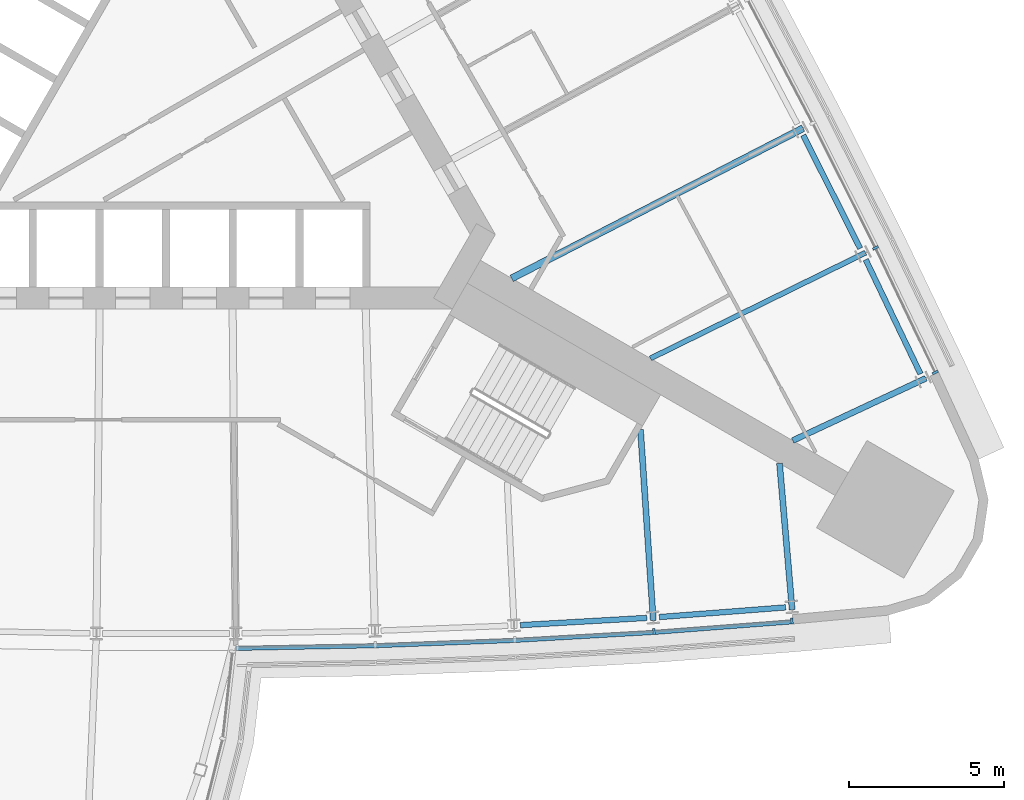
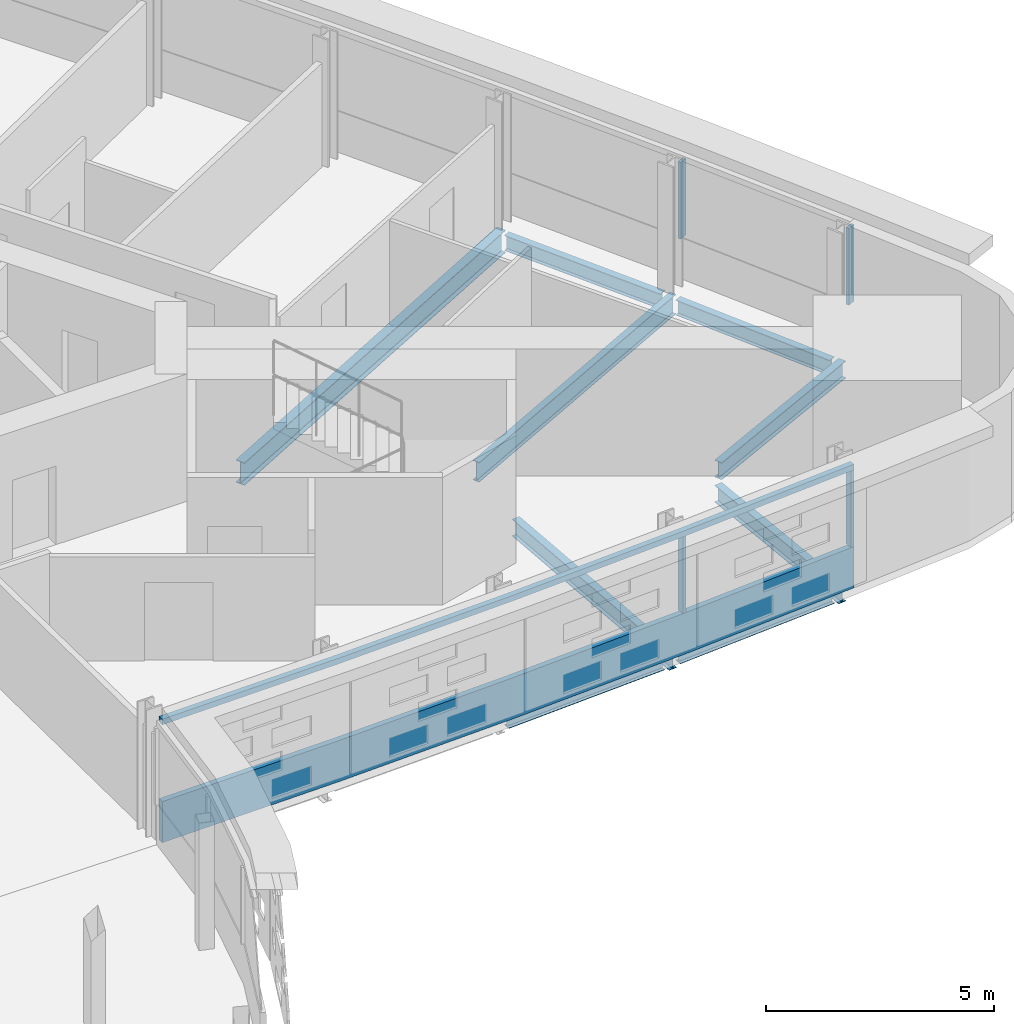
# One storey, part 5 of 16: 9 beams, 6 members, 2 elements without a shape of their own.
"""IFC4 building model written with IfcOpenShell, lengths in metres."""

from ifc_helpers import new_model, si_unit, direction, frame, origin, origin_2d, place, context, subcontext, project, spatial, polyline, rectangle, i_section, outline, extrude, material, material_profile, profile_set, type_object, element, aggregate, save


model = new_model("IFC4")

# Units and contexts
model_context = context("Model", 3, precision=1e-05, world=origin(), true_north=direction((0.0, 1.0)))
body_context = subcontext(model_context, "Body", "Model", "MODEL_VIEW")
ifc_project = project(units=[si_unit("LENGTHUNIT", "METRE"), si_unit("AREAUNIT", "SQUARE_METRE"), si_unit("VOLUMEUNIT", "CUBIC_METRE"), si_unit("PLANEANGLEUNIT", "RADIAN"), si_unit("MASSUNIT", "GRAM", prefix="KILO")], contexts=[model_context])

# Site, building, storey
site_placement = place(None, origin())
site = spatial("IfcSite", under=ifc_project, at=site_placement, CompositionType="ELEMENT")
building_placement = place(site_placement, origin())
building = spatial("IfcBuilding", under=site, at=building_placement, Name="Noor Cloister Tower", CompositionType="ELEMENT")
storey_placement = place(building_placement, frame((0.0, 0.0, 61.800048828125)))
storey = spatial("IfcBuildingStorey", under=building, at=storey_placement, Name="L15", CompositionType="ELEMENT", Elevation=61.800048828125)

# Curtain wall, members
ifc_material_1 = material(Name="Aluminium 6063-T6 anodised", Category="aluminium")
curtain_wall_type = type_object("IfcCurtainWallType", Name="Ribbon curtain wall, lower tower CW1", PredefinedType="NOTDEFINED", material=ifc_material_1)
curtain_wall_1_placement = place(storey_placement, origin())
curtain_wall_1 = element("IfcCurtainWall", 1, at=curtain_wall_1_placement, inside=storey, type_object=curtain_wall_type, Name="CW1 L15 S run 3", PredefinedType="NOTDEFINED")
ifc_material_2 = material(Name="Aluminium 6063-T6 anodised", Category="aluminium")
member_type_1 = type_object("IfcMemberType", Name="Head transom CW1 150", PredefinedType="USERDEFINED", material=ifc_material_2)
member_1_placement = place(storey_placement, frame((0.0, 0.0, 3.14990234375)))
member_1 = element("IfcMember", 2, at=member_1_placement, type_object=member_type_1, Name="CW1 head transom", ObjectType="TRANSOM", PredefinedType="USERDEFINED", context=body_context, shape_type="SweptSolid", body=[
    extrude(outline(polyline([(2.25, -17.944091796875), (6.7490234375, -17.858154296875), (11.24560546875, -17.686279296875), (15.73828125, -17.4287109375), (20.22509765625, -17.085205078125), (20.21435546875, -16.94580078125), (15.72900390625, -17.2890625), (11.239013671875, -17.54638671875), (6.7451171875, -17.71826171875), (2.247314453125, -17.80419921875), (2.25, -17.944091796875)])), origin(), (0.0, 0.0, 1.0), 0.150146484375),
])
ifc_material_3 = material(Name="Aluminium 6063-T6 anodised", Category="aluminium")
ifc_material_profile_1 = material_profile(ifc_material_3, rectangle(XDim=0.199951171875, YDim=0.080078125, at=origin_2d()), Name="200 x 80 mullion")
ifc_profile_set_1 = profile_set([ifc_material_profile_1], Name="Aluminium 6063-T6 anodised")
member_type_2 = type_object("IfcMemberType", Name="Mullion CW1 80 x 200", PredefinedType="MULLION", material=ifc_profile_set_1)
member_2_placement = place(storey_placement, frame((15.731689453125, -17.328857421875, 1.099853515625), z_axis=(0.0, 0.0, 1.0), x_axis=(-0.066787283473, 0.997767236767, 0.0)))
member_2 = element("IfcMember", 3, at=member_2_placement, type_object=member_type_2, Name="CW1 mullion 4", PredefinedType="MULLION", context=body_context, shape_type="SweptSolid", body=[
    extrude(rectangle(XDim=0.199951171875, YDim=0.080078125, at=origin_2d()), origin(), (0.0, 0.0, 1.0), 2.050048828125),
])
member_3_placement = place(storey_placement, frame((20.177490234375, -16.988525390625, 1.099853515625), z_axis=(0.0, 0.0, 1.0), x_axis=(-0.076310930849, 0.997084069591, 0.0)))
member_3 = element("IfcMember", 4, at=member_3_placement, type_object=member_type_2, Name="CW1 mullion 5", PredefinedType="MULLION", context=body_context, shape_type="SweptSolid", body=[
    extrude(rectangle(XDim=0.199951171875, YDim=0.080078125, at=origin_2d()), origin(), (0.0, 0.0, 1.0), 2.050048828125),
])

curtain_wall_2_placement = place(storey_placement, origin())
curtain_wall_2 = element("IfcCurtainWall", 5, at=curtain_wall_2_placement, inside=storey, type_object=curtain_wall_type, Name="CW1 L15 NE run 4", PredefinedType="NOTDEFINED")
member_4_placement = place(storey_placement, frame((24.80126953125, -8.97998046875, 1.099853515625), z_axis=(0.0, 0.0, 1.0), x_axis=(-0.9016555994, -0.432454830094, 0.0)))
member_4 = element("IfcMember", 6, at=member_4_placement, type_object=member_type_2, Name="CW1 mullion 1", PredefinedType="MULLION", context=body_context, shape_type="SweptSolid", body=[
    extrude(rectangle(XDim=0.199951171875, YDim=0.080078125, at=origin_2d()), origin(), (0.0, 0.0, 1.0), 2.050048828125),
])
member_5_placement = place(storey_placement, frame((22.873046875, -4.95947265625, 1.099853515625), z_axis=(0.0, 0.0, 1.0), x_axis=(-0.897485415841, -0.441044134246, 0.0)))
member_5 = element("IfcMember", 7, at=member_5_placement, type_object=member_type_2, Name="CW1 mullion 2", PredefinedType="MULLION", context=body_context, shape_type="SweptSolid", body=[
    extrude(rectangle(XDim=0.199951171875, YDim=0.080078125, at=origin_2d()), origin(), (0.0, 0.0, 1.0), 2.050048828125),
])
aggregate(curtain_wall_2, [member_4, member_5])

# Beams
ifc_material_4 = material(Name="Steel ASTM A992 Gr 50", Category="steel")
ifc_material_profile_2 = material_profile(ifc_material_4, i_section(OverallWidth=0.19091796875, OverallDepth=0.45703125, WebThickness=0.009033203125, FlangeThickness=0.014404296875, FilletRadius=0.01025390625, at=origin_2d()), Name="W460x74")
ifc_profile_set_2 = profile_set([ifc_material_profile_2], Name="Steel ASTM A992 Gr 50")
beam_type_1 = type_object("IfcBeamType", Name="Radial beam W460x74", PredefinedType="BEAM", material=ifc_profile_set_2)
beam_1_placement = place(storey_placement, frame((15.7080078125, -16.976806640625, -0.428466796875), z_axis=(-0.066781591545, 0.99776761775, 0.0), x_axis=(-0.99776761775, -0.066781591545, 0.0)))
element("IfcBeam", 8, at=beam_1_placement, inside=storey, type_object=beam_type_1, Name="Radial beam S 09 L15", PredefinedType="BEAM", context=body_context, shape_type="SweptSolid", body=[
    extrude(i_section(OverallWidth=0.19091796875, OverallDepth=0.45703125, WebThickness=0.009033203125, FlangeThickness=0.014404296875, FilletRadius=0.01025390625, at=origin_2d()), origin(), (0.0, 0.0, 1.0), 6.1708984375),
])
for number, where, z_axis, x_axis, name in (
    (9, (20.186279296875, -16.634033203125, -0.428466796875), (-0.085840752888, 0.996308870353, 0.0), (-0.996308870353, -0.085840752888, 0.0), "Radial beam S 10 L15"),
    (10, (24.49853515625, -9.164794921875, -0.428466796875), (-0.905732710041, -0.423849334035, 0.0), (0.423849334035, -0.905732710041, 0.0), "Radial beam NE 01 L15"),
):
    element("IfcBeam", number, at=place(storey_placement, frame(where, z_axis=z_axis, x_axis=x_axis)), inside=storey, type_object=beam_type_1, Name=name, PredefinedType="BEAM", context=body_context, shape_type="SweptSolid", body=[
        extrude(i_section(OverallWidth=0.19091796875, OverallDepth=0.45703125, WebThickness=0.009033203125, FlangeThickness=0.014404296875, FilletRadius=0.01025390625, at=origin_2d()), origin(), (0.0, 0.0, 1.0), 4.7412109375),
    ])
ifc_material_5 = material(Name="Steel ASTM A992 Gr 50", Category="steel")
ifc_material_profile_3 = material_profile(ifc_material_5, i_section(OverallWidth=0.166015625, OverallDepth=0.528076171875, WebThickness=0.009765625, FlangeThickness=0.013671875, FilletRadius=0.0126953125, at=origin_2d()), Name="W530x74")
ifc_profile_set_3 = profile_set([ifc_material_profile_3], Name="Steel ASTM A992 Gr 50")
beam_type_2 = type_object("IfcBeamType", Name="Radial beam W530x74", PredefinedType="BEAM", material=ifc_profile_set_3)
beam_2_placement = place(storey_placement, frame((22.55615234375, -5.115234375, -0.464111328125), z_axis=(-0.897487674389, -0.441039538273, 0.0), x_axis=(0.441039538273, -0.897487674389, 0.0)))
element("IfcBeam", 11, at=beam_2_placement, inside=storey, type_object=beam_type_2, Name="Radial beam NE 02 L15", PredefinedType="BEAM", context=body_context, shape_type="SweptSolid", body=[
    extrude(i_section(OverallWidth=0.166015625, OverallDepth=0.528076171875, WebThickness=0.009765625, FlangeThickness=0.013671875, FilletRadius=0.0126953125, at=origin_2d()), origin(), (0.0, 0.0, 1.0), 7.732177734375),
])
ifc_material_6 = material(Name="Steel ASTM A992 Gr 50", Category="steel")
ifc_material_profile_4 = material_profile(ifc_material_6, i_section(OverallWidth=0.22802734375, OverallDepth=0.60205078125, WebThickness=0.010498046875, FlangeThickness=0.014892578125, FilletRadius=0.0126953125, at=origin_2d()), Name="W610x101")
ifc_profile_set_4 = profile_set([ifc_material_profile_4], Name="Steel ASTM A992 Gr 50")
beam_type_3 = type_object("IfcBeamType", Name="Radial beam W610x101", PredefinedType="BEAM", material=ifc_profile_set_4)
beam_3_placement = place(storey_placement, frame((20.537109375, -1.103515625, -0.5009765625), z_axis=(-0.888902998101, -0.458095470363, 0.0), x_axis=(0.458095470363, -0.888902998101, 0.0)))
element("IfcBeam", 12, at=beam_3_placement, inside=storey, type_object=beam_type_3, Name="Radial beam NE 03 L15", PredefinedType="BEAM", context=body_context, shape_type="SweptSolid", body=[
    extrude(i_section(OverallWidth=0.22802734375, OverallDepth=0.60205078125, WebThickness=0.010498046875, FlangeThickness=0.014892578125, FilletRadius=0.0126953125, at=origin_2d()), origin(), (0.0, 0.0, 1.0), 10.566162109375),
])

# Member
ifc_material_7 = material(Name="Aluminium 6063-T6 anodised", Category="aluminium")
member_type_3 = type_object("IfcMemberType", Name="Sill transom CW1 1100", PredefinedType="USERDEFINED", material=ifc_material_7)
member_6_placement = place(storey_placement, origin())
member_6 = element("IfcMember", 13, at=member_6_placement, type_object=member_type_3, Name="CW1 sill transom", ObjectType="TRANSOM", PredefinedType="USERDEFINED", context=body_context, shape_type="SweptSolid", body=[
    extrude(outline(polyline([(2.25, -17.944091796875), (6.7490234375, -17.858154296875), (11.24560546875, -17.686279296875), (15.73828125, -17.4287109375), (20.22509765625, -17.085205078125), (20.21435546875, -16.94580078125), (15.72900390625, -17.2890625), (11.239013671875, -17.54638671875), (6.7451171875, -17.71826171875), (2.247314453125, -17.80419921875), (2.25, -17.944091796875)])), origin(), (0.0, 0.0, 1.0), 1.099853515625),
])

aggregate(curtain_wall_1, [member_2, member_3, member_6, member_1])

# Beams
ifc_material_8 = material(Name="Steel ASTM A992 Gr 50", Category="steel")
ifc_material_profile_5 = material_profile(ifc_material_8, i_section(OverallWidth=0.177978515625, OverallDepth=0.406005859375, WebThickness=0.0078125, FlangeThickness=0.0126953125, FilletRadius=0.01025390625, at=origin_2d()), Name="W410x60")
ifc_profile_set_5 = profile_set([ifc_material_profile_5], Name="Steel ASTM A992 Gr 50")
beam_type_4 = type_object("IfcBeamType", Name="Spandrel beam W410x60", PredefinedType="SPANDREL", material=ifc_profile_set_5)
for number, where, z_axis, x_axis, name in (
    (14, (11.421142578125, -17.12548828125, -0.403076171875), (0.998356421162, 0.057310176457, 0.0), (-0.057310176457, 0.998356421162, 0.0), "Spandrel beam S 08 L15"),
    (15, (15.903076171875, -16.864501953125, -0.403076171875), (0.997083939733, 0.076312627572, 0.0), (-0.076312627572, 0.997083939733, 0.0), "Spandrel beam S 09 L15"),
):
    element("IfcBeam", number, at=place(storey_placement, frame(where, z_axis=z_axis, x_axis=x_axis)), inside=storey, type_object=beam_type_4, Name=name, PredefinedType="SPANDREL", context=body_context, shape_type="SweptSolid", body=[
        extrude(i_section(OverallWidth=0.177978515625, OverallDepth=0.406005859375, WebThickness=0.0078125, FlangeThickness=0.0126953125, FilletRadius=0.01025390625, at=origin_2d()), origin(), (0.0, 0.0, 1.0), 4.08544921875),
    ])
beam_4_placement = place(storey_placement, frame((24.3232421875, -9.023681640625, -0.403076171875), z_axis=(-0.432427965781, 0.901668483652, 0.0), x_axis=(-0.901668483652, -0.432427965781, 0.0)))
element("IfcBeam", 16, at=beam_4_placement, inside=storey, type_object=beam_type_4, Name="Spandrel beam NE 01 L15", PredefinedType="SPANDREL", context=body_context, shape_type="SweptSolid", body=[
    extrude(i_section(OverallWidth=0.177978515625, OverallDepth=0.406005859375, WebThickness=0.0078125, FlangeThickness=0.0126953125, FilletRadius=0.01025390625, at=origin_2d()), origin(), (0.0, 0.0, 1.0), 4.085205078125),
])
beam_5_placement = place(storey_placement, frame((22.37841796875, -4.9775390625, -0.403076171875), z_axis=(-0.449626227314, 0.893216802188, 0.0), x_axis=(-0.893216802188, -0.449626227314, 0.0)))
element("IfcBeam", 17, at=beam_5_placement, inside=storey, type_object=beam_type_4, Name="Spandrel beam NE 02 L15", PredefinedType="SPANDREL", context=body_context, shape_type="SweptSolid", body=[
    extrude(i_section(OverallWidth=0.177978515625, OverallDepth=0.406005859375, WebThickness=0.0078125, FlangeThickness=0.0126953125, FilletRadius=0.01025390625, at=origin_2d()), origin(), (0.0, 0.0, 1.0), 4.08544921875),
])

save(model, "model.ifc")
